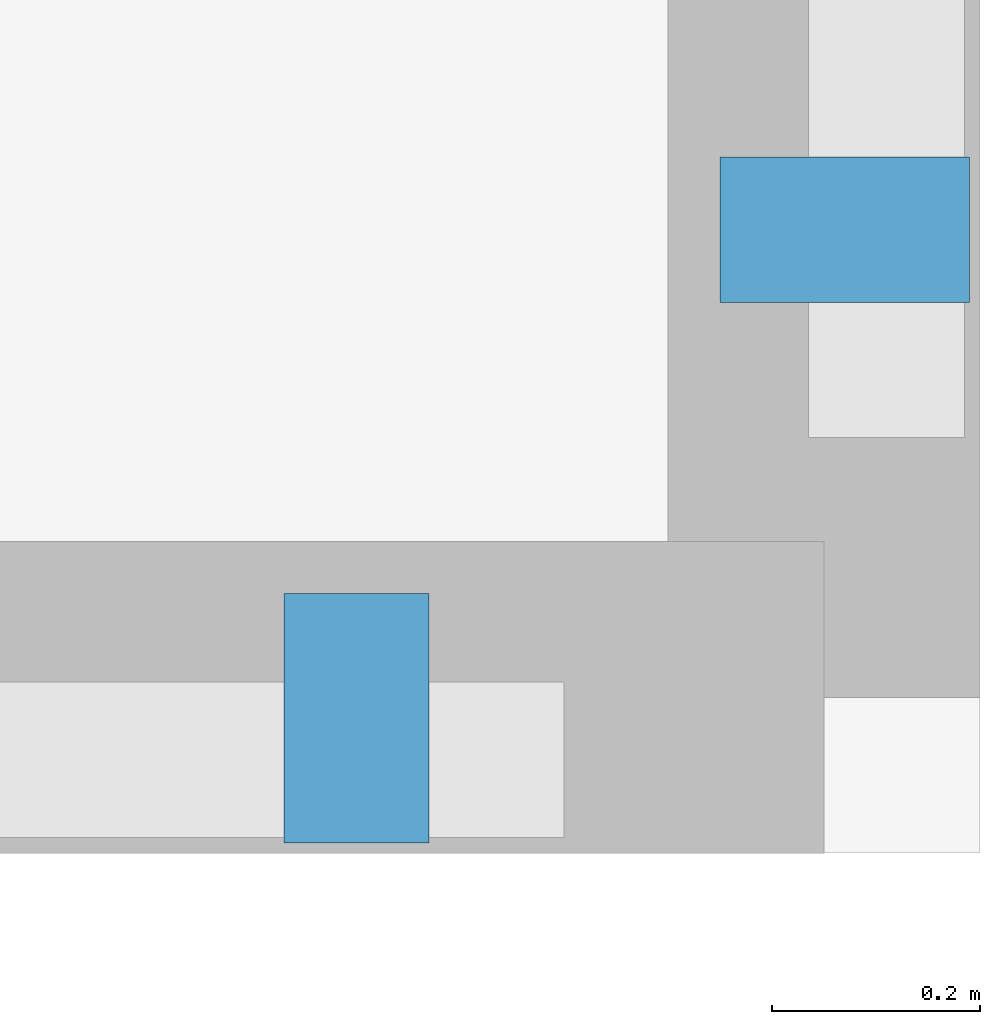
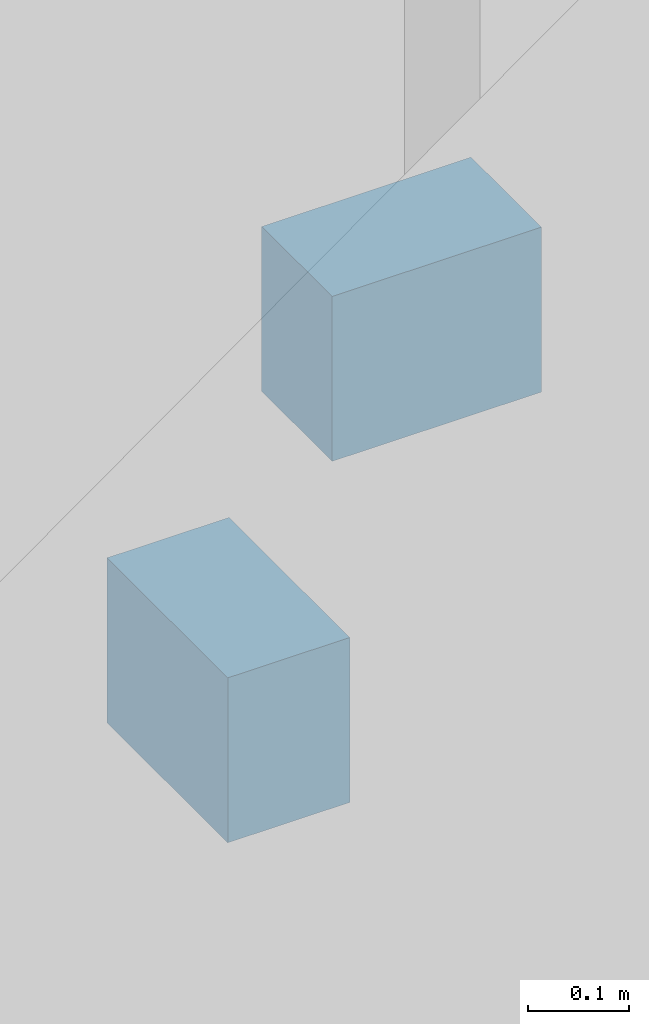
# One storey, part 17 of 21: 2 discrete accessories.
"""IFC4 building model written with IfcOpenShell, lengths in metres."""

from ifc_helpers import new_model, si_unit, direction, frame, origin, origin_2d, place, context, subcontext, project, spatial, rectangle, extrude, material, type_object, element, save


model = new_model("IFC4")

# Units and contexts
model_context = context("Model", 3, precision=1e-05, world=origin(), true_north=direction((0.0, 1.0)))
body_context = subcontext(model_context, "Body", "Model", "MODEL_VIEW")
ifc_project = project(units=[si_unit("LENGTHUNIT", "METRE"), si_unit("AREAUNIT", "SQUARE_METRE"), si_unit("VOLUMEUNIT", "CUBIC_METRE"), si_unit("PLANEANGLEUNIT", "RADIAN"), si_unit("MASSUNIT", "GRAM", prefix="KILO")], contexts=[model_context])

# Site, building, storey
site_placement = place(None, origin())
site = spatial("IfcSite", under=ifc_project, at=site_placement, CompositionType="ELEMENT")
building_placement = place(site_placement, origin())
building = spatial("IfcBuilding", under=site, at=building_placement, Name="Tarnavaz Court Tower", CompositionType="ELEMENT")
storey_placement = place(building_placement, frame((0.0, 0.0, 40.75)))
storey = spatial("IfcBuildingStorey", under=building, at=storey_placement, Name="L10", CompositionType="ELEMENT", Elevation=40.75)

# Discrete accessories
ifc_material = material(Name="Anodised Aluminium 6063-T6", Category="aluminium")
discrete_accessory_type = type_object("IfcDiscreteAccessoryType", Name="DA-BRKT-ALU", PredefinedType="BRACKET", material=ifc_material)
for number, where, z_axis, x_axis, name in (
    (1, (28.669921875, -18.60009765625, 1.75), (0.0, 0.0, 1.0), (0.0, -1.0, 0.0), "L10 Baguette Outrigger Bracket FBG12-2"),
    (2, (28.199951171875, -19.070068359375, 1.75), (0.0, 0.0, 1.0), (-1.0, 0.0, 0.0), "L10 Baguette Outrigger Bracket FBG13-1"),
):
    element("IfcDiscreteAccessory", number, at=place(storey_placement, frame(where, z_axis=z_axis, x_axis=x_axis)), inside=storey, type_object=discrete_accessory_type, Name=name, PredefinedType="BRACKET", context=body_context, shape_type="SweptSolid", body=[
        extrude(rectangle(XDim=0.139892578125, YDim=0.239990234375, at=origin_2d()), origin(), (0.0, 0.0, 1.0), 0.199951171875),
    ])

save(model, "model.ifc")
